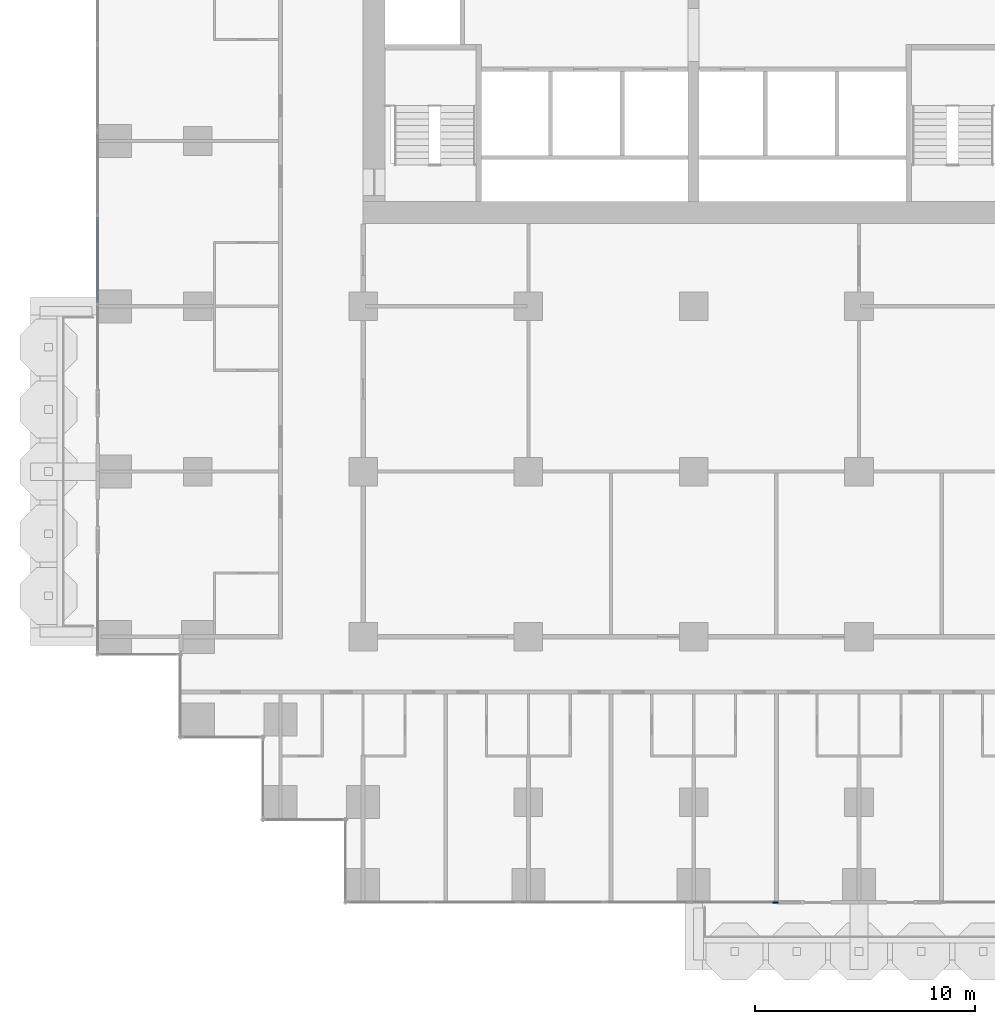
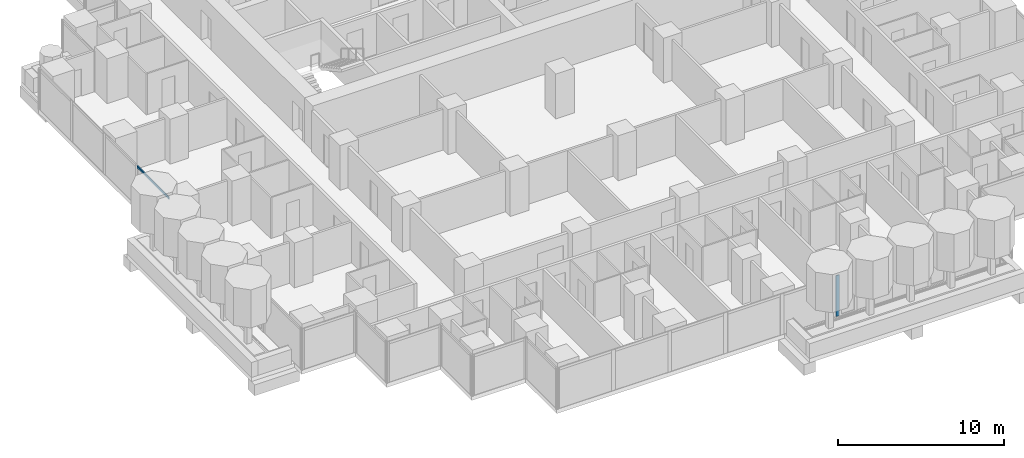
# One storey, part 3 of 20: 2 members, 2 elements without a shape of their own.
"""IFC4 building model written with IfcOpenShell, lengths in metres."""

from ifc_helpers import new_model, si_unit, direction, frame, origin, origin_2d, place, context, subcontext, project, spatial, rectangle, extrude, material, material_profile, profile_set, type_object, element, aggregate, save


model = new_model("IFC4")

# Units and contexts
model_context = context("Model", 3, precision=1e-05, world=origin(), true_north=direction((0.0, 1.0)))
body_context = subcontext(model_context, "Body", "Model", "MODEL_VIEW")
ifc_project = project(units=[si_unit("LENGTHUNIT", "METRE"), si_unit("AREAUNIT", "SQUARE_METRE"), si_unit("VOLUMEUNIT", "CUBIC_METRE"), si_unit("PLANEANGLEUNIT", "RADIAN"), si_unit("MASSUNIT", "GRAM", prefix="KILO")], contexts=[model_context])

# Site, building, storey
site_placement = place(None, origin())
site = spatial("IfcSite", under=ifc_project, at=site_placement, CompositionType="ELEMENT")
building_placement = place(site_placement, origin())
building = spatial("IfcBuilding", under=site, at=building_placement, Name="Pilkhan Gate Tower", CompositionType="ELEMENT")
storey_placement = place(building_placement, frame((0.0, 0.0, 92.300048828125)))
storey = spatial("IfcBuildingStorey", under=building, at=storey_placement, Name="L22", CompositionType="ELEMENT", Elevation=92.300048828125)

# Curtain wall, member
ifc_material_1 = material(Name="Pale anodised aluminium, clear low-iron double glazing", Category="aluminium")
curtain_wall_type = type_object("IfcCurtainWallType", Name="Hotel unitised curtain wall CW-H", PredefinedType="USERDEFINED", material=ifc_material_1)
curtain_wall_1_placement = place(storey_placement, origin())
curtain_wall_1 = element("IfcCurtainWall", 1, at=curtain_wall_1_placement, inside=storey, type_object=curtain_wall_type, Name="Hotel unitised curtain wall CW-H L22 S", ObjectType="UNITISED CURTAIN WALL", PredefinedType="USERDEFINED")
ifc_material_2 = material(Name="Pale anodised aluminium", Category="aluminium")
ifc_material_profile_1 = material_profile(ifc_material_2, rectangle(XDim=0.06494140625, YDim=0.25, at=origin_2d()), Name="Mullion 250x65")
ifc_profile_set_1 = profile_set([ifc_material_profile_1], Name="Pale anodised aluminium")
member_type_1 = type_object("IfcMemberType", Name="Mullion CW-H 250x65", PredefinedType="MULLION", material=ifc_profile_set_1)
member_1_placement = place(storey_placement, frame((78.717529296875, 40.455078125, 0.0), z_axis=(0.0, 0.0, 1.0), x_axis=(0.0, 1.0, 0.0)))
member_1 = element("IfcMember", 2, at=member_1_placement, type_object=member_type_1, Name="CW-H mullion 3", PredefinedType="MULLION", context=body_context, shape_type="SweptSolid", body=[
    extrude(rectangle(XDim=0.06494140625, YDim=0.25, at=origin_2d()), origin(), (0.0, 0.0, 1.0), 3.0),
])
aggregate(curtain_wall_1, [member_1])

curtain_wall_2_placement = place(storey_placement, origin())
curtain_wall_2 = element("IfcCurtainWall", 3, at=curtain_wall_2_placement, inside=storey, type_object=curtain_wall_type, Name="Hotel unitised curtain wall CW-H L22 W", ObjectType="UNITISED CURTAIN WALL", PredefinedType="USERDEFINED")
ifc_material_profile_2 = material_profile(ifc_material_2, rectangle(XDim=0.06494140625, YDim=0.179931640625, at=origin_2d()), Name="Transom 180x65")
ifc_profile_set_2 = profile_set([ifc_material_profile_2], Name="Pale anodised aluminium")
member_type_2 = type_object("IfcMemberType", Name="Transom CW-H 180x65", PredefinedType="USERDEFINED", material=ifc_profile_set_2)
member_2_placement = place(storey_placement, frame((47.955078125, 67.69140625, 2.909912109375), z_axis=(0.0, 1.0, 0.0), x_axis=(-1.0, 0.0, 0.0)))
member_2 = element("IfcMember", 4, at=member_2_placement, type_object=member_type_2, Name="CW-H transom 2", ObjectType="TRANSOM", PredefinedType="USERDEFINED", context=body_context, shape_type="SweptSolid", body=[
    extrude(rectangle(XDim=0.06494140625, YDim=0.179931640625, at=origin_2d()), origin(), (0.0, 0.0, 1.0), 3.843994140625),
])
aggregate(curtain_wall_2, [member_2])

save(model, "model.ifc")
